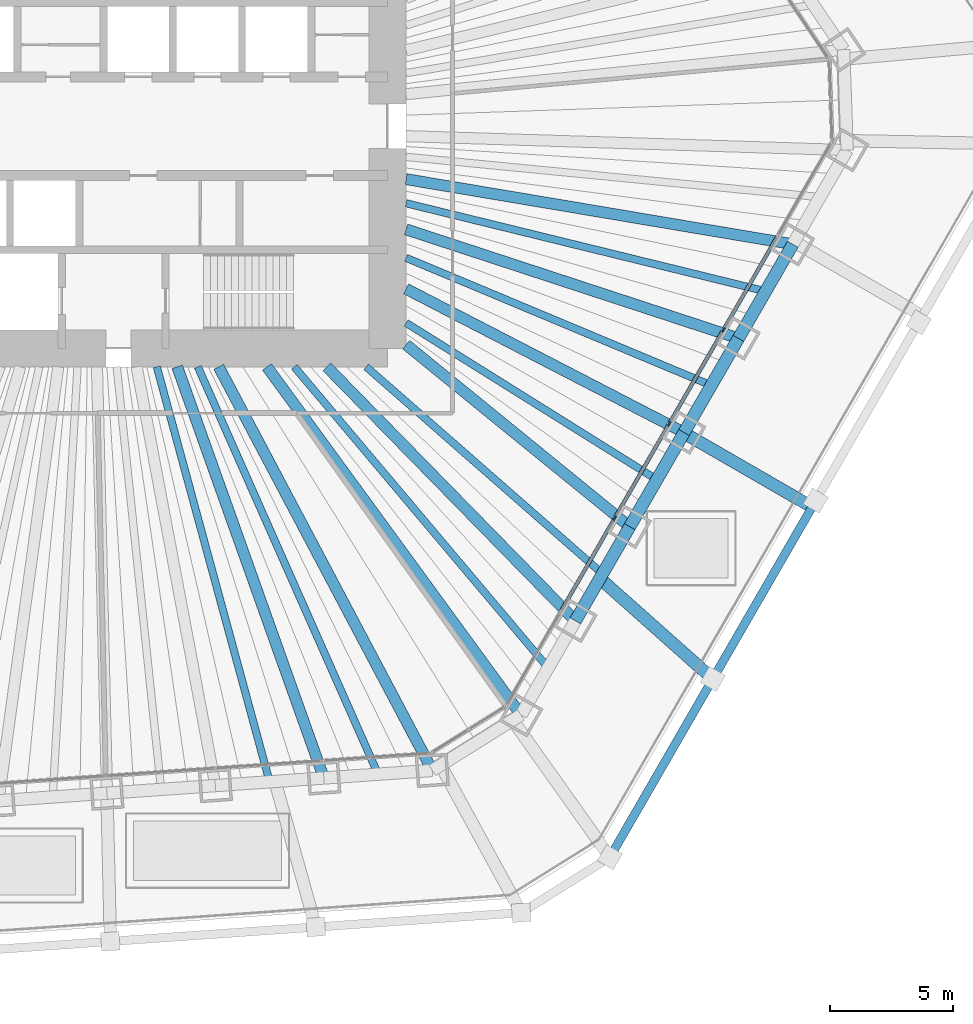
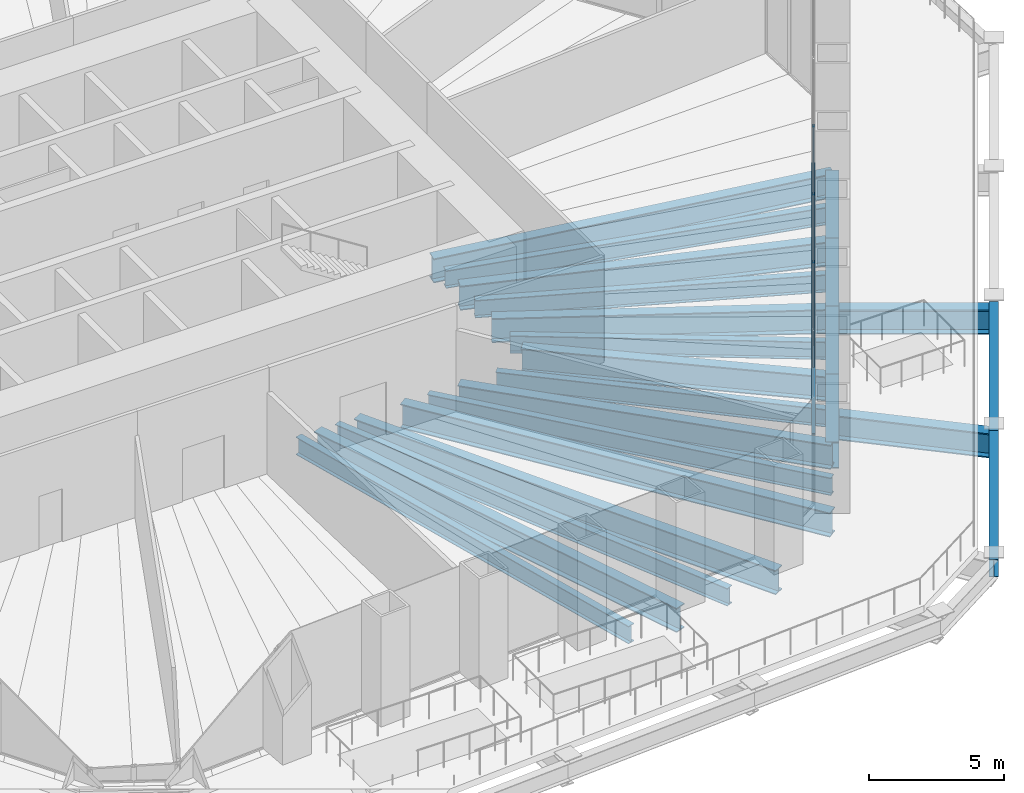
# One storey, part 5 of 20: 23 beams, 7 members, 1 element without a shape of its own.
"""IFC4 building model written with IfcOpenShell, lengths in metres."""

import ifcopenshell
import ifcopenshell.guid

model = None  # the IFC model being written
_history = None  # IfcOwnerHistory: only IFC2X3 demands one
_inside = {}  # id of a spatial element -> (the spatial element, [elements in it])
_under = {}  # id of a project, library or spatial element -> (it, [spatial elements below it])
_declared = {}  # id of a project -> (the project, [libraries it declares])
_typed = {}  # id of a type object -> (the type object, [elements of that type])
_made_of = {}  # id of a material, layer set ... -> (it, [elements and type objects made of it])


def new_model(schema):
    """Start an empty IFC model of exactly this schema.

    Asked for "IFC4X3", IfcOpenShell would pick the latest addendum, in which some entities
    have other attributes; the version numbers below select the first issue.
    IFC2X3 requires an IfcOwnerHistory on every rooted entity: one is made here for all.
    """
    global model, _history
    if schema == "IFC4X3":
        model = ifcopenshell.file(schema_version=(4, 3, 0, 0))
    else:
        model = ifcopenshell.file(schema=schema)
    _inside.clear()
    _under.clear()
    _declared.clear()
    _typed.clear()
    _made_of.clear()
    _history = None
    if model.schema == "IFC2X3":
        org = make("IfcOrganization", Name="unknown")
        user = make(
            "IfcPersonAndOrganization",
            ThePerson=make("IfcPerson", FamilyName="unknown"),
            TheOrganization=org,
        )
        app = make(
            "IfcApplication",
            ApplicationDeveloper=org,
            Version="unknown",
            ApplicationFullName="unknown",
            ApplicationIdentifier="unknown",
        )
        _history = make(
            "IfcOwnerHistory",
            OwningUser=user,
            OwningApplication=app,
            ChangeAction="ADDED",
            CreationDate=0,
        )
    return model


def make(cls, **values):
    """One entity of the class cls with the attributes given. An attribute that is None is left unset."""
    return model.create_entity(
        cls, **{name: value for name, value in values.items() if value is not None}
    )


def rooted(cls, **values):
    """An entity with a GlobalId (a new one), such as an element, a storey or a relation."""
    return make(cls, GlobalId=ifcopenshell.guid.new(), OwnerHistory=_history, **values)


def si_unit(unit_type, name, prefix=None):
    """IfcSIUnit, for example si_unit("LENGTHUNIT", "METRE", prefix="MILLI")."""
    return make("IfcSIUnit", UnitType=unit_type, Prefix=prefix, Name=name)


def assignment(units):
    """IfcUnitAssignment: the units of a project."""
    return None if units is None else make("IfcUnitAssignment", Units=units)


def point(xyz):
    """IfcCartesianPoint."""
    return None if xyz is None else make("IfcCartesianPoint", Coordinates=xyz)


def direction(xyz):
    """IfcDirection."""
    return None if xyz is None else make("IfcDirection", DirectionRatios=xyz)


def frame(location, z_axis=None, x_axis=None):
    """IfcAxis2Placement3D, a coordinate frame: its origin and axes. An axis left out is left unset."""
    return make(
        "IfcAxis2Placement3D",
        Location=point(location),
        Axis=direction(z_axis),
        RefDirection=direction(x_axis),
    )


def frame_2d(location, x_axis=None):
    """IfcAxis2Placement2D, a coordinate frame in the plane: its origin and x axis."""
    return make(
        "IfcAxis2Placement2D", Location=point(location), RefDirection=direction(x_axis)
    )


def origin():
    """The frame at (0, 0, 0) with its axes left unset."""
    return frame((0.0, 0.0, 0.0))


def origin_2d():
    """The frame at (0, 0) in the plane with its x axis left unset."""
    return frame_2d((0.0, 0.0))


def place(relative_to, where):
    """IfcLocalPlacement: puts the frame where relative to a parent placement (None: the world)."""
    return make(
        "IfcLocalPlacement", PlacementRelTo=relative_to, RelativePlacement=where
    )


def context(
    kind, dimensions, precision=None, world=None, true_north=None, identifier=None
):
    """IfcGeometricRepresentationContext, for example the 3D "Model" context."""
    return make(
        "IfcGeometricRepresentationContext",
        ContextIdentifier=identifier,
        ContextType=kind,
        CoordinateSpaceDimension=dimensions,
        Precision=precision,
        WorldCoordinateSystem=world,
        TrueNorth=true_north,
    )


def subcontext(parent, identifier, kind, view, scale=None):
    """IfcGeometricRepresentationSubContext, for example "Body" below "Model"."""
    return make(
        "IfcGeometricRepresentationSubContext",
        ContextIdentifier=identifier,
        ContextType=kind,
        ParentContext=parent,
        TargetScale=scale,
        TargetView=view,
    )


def project(units=None, contexts=None):
    """IfcProject with its units and contexts."""
    return rooted(
        "IfcProject",
        Name="project",
        RepresentationContexts=contexts,
        UnitsInContext=assignment(units),
    )


def spatial(cls, under=None, at=None, **own):
    """A site, building, storey or space (cls), placed at a placement, below another one or the project."""
    s = rooted(cls, ObjectPlacement=at, **own)
    if under is not None:
        _under.setdefault(under.id(), (under, []))[1].append(s)
    return s


def profile(cls, at=None, kind="AREA", **sizes):
    """A parametric profile (cls). Its sizes go by their IFC names, for example OverallWidth=200.0."""
    return make(cls, ProfileType=kind, Position=at, **sizes)


def rectangle(**sizes):
    """IfcRectangleProfileDef."""
    return profile("IfcRectangleProfileDef", **sizes)


def i_section(**sizes):
    """IfcIShapeProfileDef."""
    return profile("IfcIShapeProfileDef", **sizes)


def extrude(swept, where, along, depth):
    """IfcExtrudedAreaSolid: the profile swept, set in the frame where, extruded along a direction by depth."""
    return make(
        "IfcExtrudedAreaSolid",
        SweptArea=swept,
        Position=where,
        ExtrudedDirection=direction(along),
        Depth=depth,
    )


def shape(context_of_items, identifier, shape_type, items):
    """IfcShapeRepresentation: the items that make up one representation, for example the "Body"."""
    return make(
        "IfcShapeRepresentation",
        ContextOfItems=context_of_items,
        RepresentationIdentifier=identifier,
        RepresentationType=shape_type,
        Items=items,
    )


def material(Name=None, Category=None):
    """IfcMaterial."""
    return make("IfcMaterial", Name=Name, Category=Category)


def material_profile(
    of_material, cross_section, Name=None, Category=None, Priority=None
):
    """IfcMaterialProfile: a cross section and its material."""
    return make(
        "IfcMaterialProfile",
        Name=Name,
        Material=of_material,
        Profile=cross_section,
        Priority=Priority,
        Category=Category,
    )


def profile_set(profiles, Name=None, composite=None):
    """IfcMaterialProfileSet."""
    return make(
        "IfcMaterialProfileSet",
        Name=Name,
        MaterialProfiles=profiles,
        CompositeProfile=composite,
    )


def made_of(thing, what):
    """Note that an element or type object is made of a material, layer set ...; save() writes the relation."""
    if what is not None:
        _made_of.setdefault(what.id(), (what, []))[1].append(thing)
    return thing


def type_object(cls, material=None, **own):
    """A type object (cls), such as IfcWallType, which elements share."""
    return made_of(rooted(cls, **own), material)


def element(
    cls,
    number,
    at=None,
    inside=None,
    cuts=None,
    type_object=None,
    material=None,
    context=None,
    identifier="Body",
    shape_type=None,
    held_by="IfcProductDefinitionShape",
    body=None,
    shapes=None,
    **own,
):
    """One element of the class cls, such as IfcWall. Its Tag is "e" and its number.

    at: its placement. inside: the storey or other place that contains it. cuts: it is an
    opening in that element (IfcRelVoidsElement). A single representation is given by context,
    identifier, shape_type and body (its items); several are given by shapes. held_by: the class
    of the entity that holds the representations. save() writes the other relations.
    """
    e = rooted(cls, Tag="e%d" % number, ObjectPlacement=at, **own)
    if body is not None:
        shapes = [shape(context, identifier, shape_type, body)]
    if shapes is not None:
        e.Representation = make(held_by, Representations=shapes)
    if inside is not None:
        _inside.setdefault(inside.id(), (inside, []))[1].append(e)
    if cuts is not None:
        rooted(
            "IfcRelVoidsElement", RelatingBuildingElement=cuts, RelatedOpeningElement=e
        )
    if type_object is not None:
        _typed.setdefault(type_object.id(), (type_object, []))[1].append(e)
    return made_of(e, material)


def aggregate(whole, parts):
    """IfcRelAggregates: a whole, such as a stair, and the parts it consists of."""
    return rooted("IfcRelAggregates", RelatingObject=whole, RelatedObjects=parts)


def save(model, path):
    """Write the relations noted so far, then the file.

    IfcRelAggregates (storeys below a building ...), IfcRelContainedInSpatialStructure (elements
    in a storey), IfcRelDefinesByType, IfcRelAssociatesMaterial and IfcRelDeclares: one each for
    every whole, place, type object, material and project.
    """
    for whole, parts in _under.values():
        aggregate(whole, parts)
    for where, things in _inside.values():
        rooted(
            "IfcRelContainedInSpatialStructure",
            RelatedElements=things,
            RelatingStructure=where,
        )
    for kind, things in _typed.values():
        rooted("IfcRelDefinesByType", RelatedObjects=things, RelatingType=kind)
    for what, things in _made_of.values():
        rooted("IfcRelAssociatesMaterial", RelatedObjects=things, RelatingMaterial=what)
    for by, libraries in _declared.values():
        rooted("IfcRelDeclares", RelatingContext=by, RelatedDefinitions=libraries)
    model.write(path)


model = new_model("IFC4")

# Units and contexts
model_context = context("Model", 3, precision=1e-05, world=origin(), true_north=direction((0.0, 1.0)))
body_context = subcontext(model_context, "Body", "Model", "MODEL_VIEW")
ifc_project = project(units=[si_unit("LENGTHUNIT", "METRE"), si_unit("AREAUNIT", "SQUARE_METRE"), si_unit("VOLUMEUNIT", "CUBIC_METRE"), si_unit("PLANEANGLEUNIT", "RADIAN"), si_unit("MASSUNIT", "GRAM", prefix="KILO")], contexts=[model_context])

# Site, building, storey
site_placement = place(None, origin())
site = spatial("IfcSite", under=ifc_project, at=site_placement, CompositionType="ELEMENT")
building_placement = place(site_placement, origin())
building = spatial("IfcBuilding", under=site, at=building_placement, Name="Qingtian Harvest Tower", CompositionType="ELEMENT")
storey_placement = place(building_placement, frame((0.0, 0.0, 17.0)))
storey = spatial("IfcBuildingStorey", under=building, at=storey_placement, Name="L03", CompositionType="ELEMENT", Elevation=17.0)

# Beams
ifc_material_1 = material(Name="Steel SM570MC", Category="steel")
ifc_material_profile_1 = material_profile(ifc_material_1, i_section(OverallWidth=0.449951171875, OverallDepth=1.10009765625, WebThickness=0.02197265625, FlangeThickness=0.044921875, at=origin_2d()), Name="H1100x450x22x45")
ifc_profile_set_1 = profile_set([ifc_material_profile_1], Name="Steel SM570MC")
beam_type_1 = type_object("IfcBeamType", Name="Corner floor beam FB8 H1100x450x22x45", PredefinedType="BEAM", material=ifc_profile_set_1)
beam_1_placement = place(storey_placement, frame((17.404541015625, -23.854248046875, -0.85009765625), z_axis=(-0.58941234871, 0.807832336062, 0.0), x_axis=(-0.807832336062, -0.58941234871, 0.0)))
element("IfcBeam", 1, at=beam_1_placement, inside=storey, type_object=beam_type_1, Name="Floor beam FB8 SE6", PredefinedType="BEAM", context=body_context, shape_type="SweptSolid", body=[
    extrude(i_section(OverallWidth=0.449951171875, OverallDepth=1.10009765625, WebThickness=0.02197265625, FlangeThickness=0.044921875, at=origin_2d()), origin(), (0.0, 0.0, 1.0), 17.45947265625),
])
beam_2_placement = place(storey_placement, frame((13.810546875, -26.10009765625, -0.85009765625), z_axis=(-0.467705182679, 0.883884529843, 0.0), x_axis=(-0.883884529843, -0.467705182679, 0.0)))
element("IfcBeam", 2, at=beam_2_placement, inside=storey, type_object=beam_type_1, Name="Floor beam FB8 S0", PredefinedType="BEAM", context=body_context, shape_type="SweptSolid", body=[
    extrude(i_section(OverallWidth=0.449951171875, OverallDepth=1.10009765625, WebThickness=0.02197265625, FlangeThickness=0.044921875, at=origin_2d()), origin(), (0.0, 0.0, 1.0), 18.498046875),
])
ifc_material_2 = material(Name="Steel SM570MC", Category="steel")
ifc_material_profile_2 = material_profile(ifc_material_2, i_section(OverallWidth=0.449951171875, OverallDepth=1.10009765625, WebThickness=0.02197265625, FlangeThickness=0.044921875, at=origin_2d()), Name="H1100x450x22x45")
ifc_profile_set_2 = profile_set([ifc_material_profile_2], Name="Steel SM570MC")
beam_type_2 = type_object("IfcBeamType", Name="Floor beam FB1 H1100x450x22x45", PredefinedType="BEAM", material=ifc_profile_set_2)
beam_3_placement = place(storey_placement, frame((28.416015625, -4.78173828125, -0.85009765625), z_axis=(-0.986135195489, 0.16594389479, 0.0), x_axis=(-0.16594389479, -0.986135195489, 0.0)))
element("IfcBeam", 3, at=beam_3_placement, inside=storey, type_object=beam_type_2, Name="Floor beam FB1 SE1", PredefinedType="BEAM", context=body_context, shape_type="SweptSolid", body=[
    extrude(i_section(OverallWidth=0.449951171875, OverallDepth=1.10009765625, WebThickness=0.02197265625, FlangeThickness=0.044921875, at=origin_2d()), origin(), (0.0, 0.0, 1.0), 15.88623046875),
])
beam_4_placement = place(storey_placement, frame((26.2138671875, -8.596435546875, -0.85009765625), z_axis=(-0.950210724421, 0.311608053803, 0.0), x_axis=(-0.311608053803, -0.950210724421, 0.0)))
element("IfcBeam", 4, at=beam_4_placement, inside=storey, type_object=beam_type_2, Name="Floor beam FB1 SE2", PredefinedType="BEAM", context=body_context, shape_type="SweptSolid", body=[
    extrude(i_section(OverallWidth=0.449951171875, OverallDepth=1.10009765625, WebThickness=0.02197265625, FlangeThickness=0.044921875, at=origin_2d()), origin(), (0.0, 0.0, 1.0), 14.16943359375),
])
beam_5_placement = place(storey_placement, frame((24.011474609375, -12.410888671875, -0.85009765625), z_axis=(-0.888349581519, 0.45916774823, 0.0), x_axis=(-0.45916774823, -0.888349581519, 0.0)))
element("IfcBeam", 5, at=beam_5_placement, inside=storey, type_object=beam_type_2, Name="Floor beam FB1 SE3", PredefinedType="BEAM", context=body_context, shape_type="SweptSolid", body=[
    extrude(i_section(OverallWidth=0.449951171875, OverallDepth=1.10009765625, WebThickness=0.02197265625, FlangeThickness=0.044921875, at=origin_2d()), origin(), (0.0, 0.0, 1.0), 12.6767578125),
])
beam_6_placement = place(storey_placement, frame((21.809326171875, -16.225341796875, -0.85009765625), z_axis=(-0.775504415669, 0.631342142802, 0.0), x_axis=(-0.631342142802, -0.775504415669, 0.0)))
element("IfcBeam", 6, at=beam_6_placement, inside=storey, type_object=beam_type_2, Name="Floor beam FB1 SE4", PredefinedType="BEAM", context=body_context, shape_type="SweptSolid", body=[
    extrude(i_section(OverallWidth=0.449951171875, OverallDepth=1.10009765625, WebThickness=0.02197265625, FlangeThickness=0.044921875, at=origin_2d()), origin(), (0.0, 0.0, 1.0), 11.681884765625),
])
beam_7_placement = place(storey_placement, frame((19.60693359375, -20.039794921875, -0.85009765625), z_axis=(-0.699348221539, 0.714781130858, 0.0), x_axis=(-0.714781130858, -0.699348221539, 0.0)))
element("IfcBeam", 7, at=beam_7_placement, inside=storey, type_object=beam_type_2, Name="Floor beam FB1 SE5", PredefinedType="BEAM", context=body_context, shape_type="SweptSolid", body=[
    extrude(i_section(OverallWidth=0.449951171875, OverallDepth=1.10009765625, WebThickness=0.02197265625, FlangeThickness=0.044921875, at=origin_2d()), origin(), (0.0, 0.0, 1.0), 14.395751953125),
])
beam_8_placement = place(storey_placement, frame((9.41650390625, -26.407470703125, -0.85009765625), z_axis=(-0.33586498155, 0.941910141239, 0.0), x_axis=(-0.941910141239, -0.33586498155, 0.0)))
element("IfcBeam", 8, at=beam_8_placement, inside=storey, type_object=beam_type_2, Name="Floor beam FB1 S1", PredefinedType="BEAM", context=body_context, shape_type="SweptSolid", body=[
    extrude(i_section(OverallWidth=0.449951171875, OverallDepth=1.10009765625, WebThickness=0.02197265625, FlangeThickness=0.044921875, at=origin_2d()), origin(), (0.0, 0.0, 1.0), 17.684814453125),
])
ifc_material_3 = material(Name="Steel SM570MC", Category="steel")
ifc_material_profile_3 = material_profile(ifc_material_3, i_section(OverallWidth=0.5, OverallDepth=1.10009765625, WebThickness=0.02490234375, FlangeThickness=0.050048828125, at=origin_2d()), Name="H1100x500x25x50")
ifc_profile_set_3 = profile_set([ifc_material_profile_3], Name="Steel SM570MC")
beam_type_3 = type_object("IfcBeamType", Name="Floor beam FB6 H1100x500x25x50", PredefinedType="BEAM", material=ifc_profile_set_3)
beam_9_placement = place(storey_placement, frame((29.197509765625, -15.4287109375, -0.85009765625), z_axis=(-0.866031096941, 0.499990139034, 0.0), x_axis=(-0.499990139034, -0.866031096941, 0.0)))
element("IfcBeam", 9, at=beam_9_placement, inside=storey, type_object=beam_type_3, Name="Podium floor beam FB6 SE2", PredefinedType="BEAM", context=body_context, shape_type="SweptSolid", body=[
    extrude(i_section(OverallWidth=0.5, OverallDepth=1.10009765625, WebThickness=0.02490234375, FlangeThickness=0.050048828125, at=origin_2d()), origin(), (0.0, 0.0, 1.0), 6.0),
])
beam_10_placement = place(storey_placement, frame((25.176513671875, -22.39306640625, -0.85009765625), z_axis=(-0.747204806823, 0.664593843381, 0.0), x_axis=(-0.664593843381, -0.747204806823, 0.0)))
element("IfcBeam", 10, at=beam_10_placement, inside=storey, type_object=beam_type_3, Name="Podium floor beam FB6 SE3", PredefinedType="BEAM", context=body_context, shape_type="SweptSolid", body=[
    extrude(i_section(OverallWidth=0.5, OverallDepth=1.10009765625, WebThickness=0.02490234375, FlangeThickness=0.050048828125, at=origin_2d()), origin(), (0.0, 0.0, 1.0), 6.12646484375),
])
ifc_material_4 = material(Name="Steel SN490B", Category="steel")
ifc_material_profile_4 = material_profile(ifc_material_4, i_section(OverallWidth=0.300048828125, OverallDepth=0.800048828125, WebThickness=0.013916015625, FlangeThickness=0.02587890625, at=origin_2d()), Name="H800x300x14x26")
ifc_profile_set_4 = profile_set([ifc_material_profile_4], Name="Steel SN490B")
beam_type_4 = type_object("IfcBeamType", Name="Floor joist J1 H800x300x14x26", PredefinedType="JOIST", material=ifc_profile_set_4)
beam_11_placement = place(storey_placement, frame((27.31494140625, -6.68896484375, -0.699951171875), z_axis=(-0.971301533706, 0.237851488583, 0.0), x_axis=(-0.237851488583, -0.971301533706, 0.0)))
element("IfcBeam", 11, at=beam_11_placement, inside=storey, type_object=beam_type_4, Name="Floor joist J1 SE1", PredefinedType="JOIST", context=body_context, shape_type="SweptSolid", body=[
    extrude(i_section(OverallWidth=0.300048828125, OverallDepth=0.800048828125, WebThickness=0.013916015625, FlangeThickness=0.02587890625, at=origin_2d()), origin(), (0.0, 0.0, 1.0), 14.995361328125),
])
beam_12_placement = place(storey_placement, frame((25.112548828125, -10.503662109375, -0.699951171875), z_axis=(-0.922550516103, 0.385876334125, 0.0), x_axis=(-0.385876334125, -0.922550516103, 0.0)))
element("IfcBeam", 12, at=beam_12_placement, inside=storey, type_object=beam_type_4, Name="Floor joist J1 SE2", PredefinedType="JOIST", context=body_context, shape_type="SweptSolid", body=[
    extrude(i_section(OverallWidth=0.300048828125, OverallDepth=0.800048828125, WebThickness=0.013916015625, FlangeThickness=0.02587890625, at=origin_2d()), origin(), (0.0, 0.0, 1.0), 13.400390625),
])
beam_13_placement = place(storey_placement, frame((22.910400390625, -14.318115234375, -0.699951171875), z_axis=(-0.848013185461, 0.52997512893, 0.0), x_axis=(-0.52997512893, -0.848013185461, 0.0)))
element("IfcBeam", 13, at=beam_13_placement, inside=storey, type_object=beam_type_4, Name="Floor joist J1 SE3", PredefinedType="JOIST", context=body_context, shape_type="SweptSolid", body=[
    extrude(i_section(OverallWidth=0.300048828125, OverallDepth=0.800048828125, WebThickness=0.013916015625, FlangeThickness=0.02587890625, at=origin_2d()), origin(), (0.0, 0.0, 1.0), 11.9814453125),
])
beam_14_placement = place(storey_placement, frame((20.7080078125, -18.132568359375, -0.699951171875), z_axis=(-0.75234369212, 0.658770801514, 0.0), x_axis=(-0.658770801514, -0.75234369212, 0.0)))
element("IfcBeam", 14, at=beam_14_placement, inside=storey, type_object=beam_type_4, Name="Floor joist J1 SE4", PredefinedType="JOIST", context=body_context, shape_type="SweptSolid", body=[
    extrude(i_section(OverallWidth=0.300048828125, OverallDepth=0.800048828125, WebThickness=0.013916015625, FlangeThickness=0.02587890625, at=origin_2d()), origin(), (0.0, 0.0, 1.0), 12.724609375),
])
beam_15_placement = place(storey_placement, frame((18.505859375, -21.947021484375, -0.699951171875), z_axis=(-0.644630398038, 0.76449437534, 0.0), x_axis=(-0.76449437534, -0.644630398038, 0.0)))
element("IfcBeam", 15, at=beam_15_placement, inside=storey, type_object=beam_type_4, Name="Floor joist J1 SE5", PredefinedType="JOIST", context=body_context, shape_type="SweptSolid", body=[
    extrude(i_section(OverallWidth=0.300048828125, OverallDepth=0.800048828125, WebThickness=0.013916015625, FlangeThickness=0.02587890625, at=origin_2d()), origin(), (0.0, 0.0, 1.0), 15.954345703125),
])
beam_16_placement = place(storey_placement, frame((11.613525390625, -26.25390625, -0.699951171875), z_axis=(-0.404539958959, 0.914520323233, 0.0), x_axis=(-0.914520323233, -0.404539958959, 0.0)))
element("IfcBeam", 16, at=beam_16_placement, inside=storey, type_object=beam_type_4, Name="Floor joist J1 S0", PredefinedType="JOIST", context=body_context, shape_type="SweptSolid", body=[
    extrude(i_section(OverallWidth=0.300048828125, OverallDepth=0.800048828125, WebThickness=0.013916015625, FlangeThickness=0.02587890625, at=origin_2d()), origin(), (0.0, 0.0, 1.0), 18.046630859375),
])
beam_17_placement = place(storey_placement, frame((7.2197265625, -26.56103515625, -0.699951171875), z_axis=(-0.262302659247, 0.964985655309, 0.0), x_axis=(-0.964985655309, -0.262302659247, 0.0)))
element("IfcBeam", 17, at=beam_17_placement, inside=storey, type_object=beam_type_4, Name="Floor joist J1 S1", PredefinedType="JOIST", context=body_context, shape_type="SweptSolid", body=[
    extrude(i_section(OverallWidth=0.300048828125, OverallDepth=0.800048828125, WebThickness=0.013916015625, FlangeThickness=0.02587890625, at=origin_2d()), origin(), (0.0, 0.0, 1.0), 17.421142578125),
])

# Curtain wall, members
ifc_material_5 = material(Name="Bronze-anodised aluminium curtain wall", Category="aluminium")
curtain_wall_type = type_object("IfcCurtainWallType", Name="Curtain wall CW2 farm reception", PredefinedType="USERDEFINED", material=ifc_material_5)
curtain_wall_placement = place(storey_placement, origin())
curtain_wall = element("IfcCurtainWall", 18, at=curtain_wall_placement, inside=storey, type_object=curtain_wall_type, Name="Curtain wall CW2 L03 SE0-5", ObjectType="RECESSED CURTAIN WALL", PredefinedType="USERDEFINED")
ifc_material_6 = material(Name="Bronze-anodised aluminium mullion", Category="aluminium")
ifc_material_profile_5 = material_profile(ifc_material_6, rectangle(XDim=0.06494140625, YDim=0.199951171875, at=origin_2d()), Name="AL 65x200")
ifc_profile_set_5 = profile_set([ifc_material_profile_5], Name="Bronze-anodised aluminium mullion")
member_type_1 = type_object("IfcMemberType", Name="Mullion CWM 65x200", PredefinedType="MULLION", material=ifc_profile_set_5)
member_1_placement = place(storey_placement, frame((25.607666015625, -8.246337890625, 0.0), z_axis=(0.0, 0.0, 1.0), x_axis=(0.866025403784, -0.5, 0.0)))
member_1 = element("IfcMember", 19, at=member_1_placement, type_object=member_type_1, Name="CW2 mullion 3", PredefinedType="MULLION", context=body_context, shape_type="SweptSolid", body=[
    extrude(rectangle(XDim=0.06494140625, YDim=0.199951171875, at=origin_2d()), origin(), (0.0, 0.0, 1.0), 4.800048828125),
])
member_2_placement = place(storey_placement, frame((23.4052734375, -12.060791015625, 0.0), z_axis=(0.0, 0.0, 1.0), x_axis=(0.866025403784, -0.5, 0.0)))
member_2 = element("IfcMember", 20, at=member_2_placement, type_object=member_type_1, Name="CW2 mullion 4", PredefinedType="MULLION", context=body_context, shape_type="SweptSolid", body=[
    extrude(rectangle(XDim=0.06494140625, YDim=0.199951171875, at=origin_2d()), origin(), (0.0, 0.0, 1.0), 4.800048828125),
])
member_3_placement = place(storey_placement, frame((21.202880859375, -15.875244140625, 0.0), z_axis=(0.0, 0.0, 1.0), x_axis=(0.866025403784, -0.5, 0.0)))
member_3 = element("IfcMember", 21, at=member_3_placement, type_object=member_type_1, Name="CW2 mullion 5", PredefinedType="MULLION", context=body_context, shape_type="SweptSolid", body=[
    extrude(rectangle(XDim=0.06494140625, YDim=0.199951171875, at=origin_2d()), origin(), (0.0, 0.0, 1.0), 4.800048828125),
])

# Beams
ifc_material_7 = material(Name="Steel SN490B", Category="steel")
ifc_material_profile_6 = material_profile(ifc_material_7, i_section(OverallWidth=0.35009765625, OverallDepth=0.800048828125, WebThickness=0.01611328125, FlangeThickness=0.028076171875, at=origin_2d()), Name="H800x350x16x28")
ifc_profile_set_6 = profile_set([ifc_material_profile_6], Name="Steel SN490B")
beam_type_5 = type_object("IfcBeamType", Name="Podium beam PB1 H800x350x16x28", PredefinedType="BEAM", material=ifc_profile_set_6)
beam_18_placement = place(storey_placement, frame((29.347412109375, -15.168701171875, -0.699951171875), z_axis=(-0.499991838624, -0.866030115706, 0.0), x_axis=(0.866030115706, -0.499991838624, 0.0)))
element("IfcBeam", 22, at=beam_18_placement, inside=storey, type_object=beam_type_5, Name="Podium edge beam PB1 SE2", PredefinedType="BEAM", context=body_context, shape_type="SweptSolid", body=[
    extrude(i_section(OverallWidth=0.35009765625, OverallDepth=0.800048828125, WebThickness=0.01611328125, FlangeThickness=0.028076171875, at=origin_2d()), origin(), (0.0, 0.0, 1.0), 8.342041015625),
])
beam_19_placement = place(storey_placement, frame((25.176513671875, -22.39306640625, -0.699951171875), z_axis=(-0.500004511595, -0.866022798998, 0.0), x_axis=(0.866022798998, -0.500004511595, 0.0)))
element("IfcBeam", 23, at=beam_19_placement, inside=storey, type_object=beam_type_5, Name="Podium edge beam PB1 SE3", PredefinedType="BEAM", context=body_context, shape_type="SweptSolid", body=[
    extrude(i_section(OverallWidth=0.35009765625, OverallDepth=0.800048828125, WebThickness=0.01611328125, FlangeThickness=0.028076171875, at=origin_2d()), origin(), (0.0, 0.0, 1.0), 8.341796875),
])
ifc_material_8 = material(Name="Steel SM570MC", Category="steel")
ifc_material_profile_7 = material_profile(ifc_material_8, i_section(OverallWidth=0.5, OverallDepth=1.199951171875, WebThickness=0.02490234375, FlangeThickness=0.050048828125, at=origin_2d()), Name="H1200x500x25x50")
ifc_profile_set_7 = profile_set([ifc_material_profile_7], Name="Steel SM570MC")
beam_type_6 = type_object("IfcBeamType", Name="Spandrel beam SB1 H1200x500x25x50", PredefinedType="SPANDREL", material=ifc_profile_set_7)
beam_20_placement = place(storey_placement, frame((28.416015625, -4.78173828125, -0.89990234375), z_axis=(-0.499954356739, -0.86605175433, 0.0), x_axis=(0.86605175433, -0.499954356739, 0.0)))
element("IfcBeam", 24, at=beam_20_placement, inside=storey, type_object=beam_type_6, Name="Spandrel SB1 SE1", PredefinedType="SPANDREL", context=body_context, shape_type="SweptSolid", body=[
    extrude(i_section(OverallWidth=0.5, OverallDepth=1.199951171875, WebThickness=0.02490234375, FlangeThickness=0.050048828125, at=origin_2d()), origin(), (0.0, 0.0, 1.0), 4.40478515625),
])
for number, where, z_axis, x_axis, name in (
    (25, (26.2138671875, -8.596435546875, -0.89990234375), (-0.50001992892, -0.866013897511, 0.0), (0.866013897511, -0.50001992892, 0.0), "Spandrel SB1 SE2"),
    (26, (24.011474609375, -12.410888671875, -0.89990234375), (-0.499978356969, -0.866037899034, 0.0), (0.866037899034, -0.499978356969, 0.0), "Spandrel SB1 SE3"),
    (27, (21.809326171875, -16.225341796875, -0.89990234375), (-0.50001992892, -0.866013897511, 0.0), (0.866013897511, -0.50001992892, 0.0), "Spandrel SB1 SE4"),
):
    element("IfcBeam", number, at=place(storey_placement, frame(where, z_axis=z_axis, x_axis=x_axis)), inside=storey, type_object=beam_type_6, Name=name, PredefinedType="SPANDREL", context=body_context, shape_type="SweptSolid", body=[
        extrude(i_section(OverallWidth=0.5, OverallDepth=1.199951171875, WebThickness=0.02490234375, FlangeThickness=0.050048828125, at=origin_2d()), origin(), (0.0, 0.0, 1.0), 4.404541015625),
    ])

# Member
ifc_material_9 = material(Name="Bronze-anodised aluminium transom", Category="aluminium")
ifc_material_profile_8 = material_profile(ifc_material_9, rectangle(XDim=0.14990234375, YDim=0.06494140625, at=origin_2d()), Name="AL 65x150")
ifc_profile_set_8 = profile_set([ifc_material_profile_8], Name="Bronze-anodised aluminium transom")
member_type_2 = type_object("IfcMemberType", Name="Transom CWT 65x150", PredefinedType="USERDEFINED", material=ifc_profile_set_8)
member_4_placement = place(storey_placement, frame((27.793701171875, -4.4599609375, 0.032470703125), z_axis=(-0.500011390128, -0.866018827591, 0.0), x_axis=(0.866018827591, -0.500011390128, 0.0)))
member_4 = element("IfcMember", 28, at=member_4_placement, type_object=member_type_2, Name="CW2 transom 2.1", ObjectType="TRANSOM", PredefinedType="USERDEFINED", context=body_context, shape_type="SweptSolid", body=[
    extrude(rectangle(XDim=0.14990234375, YDim=0.06494140625, at=origin_2d()), origin(), (0.0, 0.0, 1.0), 4.33984375),
])

member_5_placement = place(storey_placement, frame((25.59130859375, -8.2744140625, 0.032470703125), z_axis=(-0.499969196308, -0.866043187574, 0.0), x_axis=(0.866043187574, -0.499969196308, 0.0)))
member_5 = element("IfcMember", 29, at=member_5_placement, type_object=member_type_2, Name="CW2 transom 3.1", ObjectType="TRANSOM", PredefinedType="USERDEFINED", context=body_context, shape_type="SweptSolid", body=[
    extrude(rectangle(XDim=0.14990234375, YDim=0.06494140625, at=origin_2d()), origin(), (0.0, 0.0, 1.0), 4.339599609375),
])

member_6_placement = place(storey_placement, frame((23.38916015625, -12.0888671875, 0.032470703125), z_axis=(-0.500011390128, -0.866018827591, 0.0), x_axis=(0.866018827591, -0.500011390128, 0.0)))
member_6 = element("IfcMember", 30, at=member_6_placement, type_object=member_type_2, Name="CW2 transom 4.1", ObjectType="TRANSOM", PredefinedType="USERDEFINED", context=body_context, shape_type="SweptSolid", body=[
    extrude(rectangle(XDim=0.14990234375, YDim=0.06494140625, at=origin_2d()), origin(), (0.0, 0.0, 1.0), 4.33984375),
])

member_7_placement = place(storey_placement, frame((21.186767578125, -15.903564453125, 0.032470703125), z_axis=(-0.500035751442, -0.866004761696, 0.0), x_axis=(0.866004761696, -0.500035751442, 0.0)))
member_7 = element("IfcMember", 31, at=member_7_placement, type_object=member_type_2, Name="CW2 transom 5.1", ObjectType="TRANSOM", PredefinedType="USERDEFINED", context=body_context, shape_type="SweptSolid", body=[
    extrude(rectangle(XDim=0.14990234375, YDim=0.06494140625, at=origin_2d()), origin(), (0.0, 0.0, 1.0), 4.339599609375),
])

aggregate(curtain_wall, [member_1, member_2, member_3, member_4, member_5, member_6, member_7])

save(model, "model.ifc")
